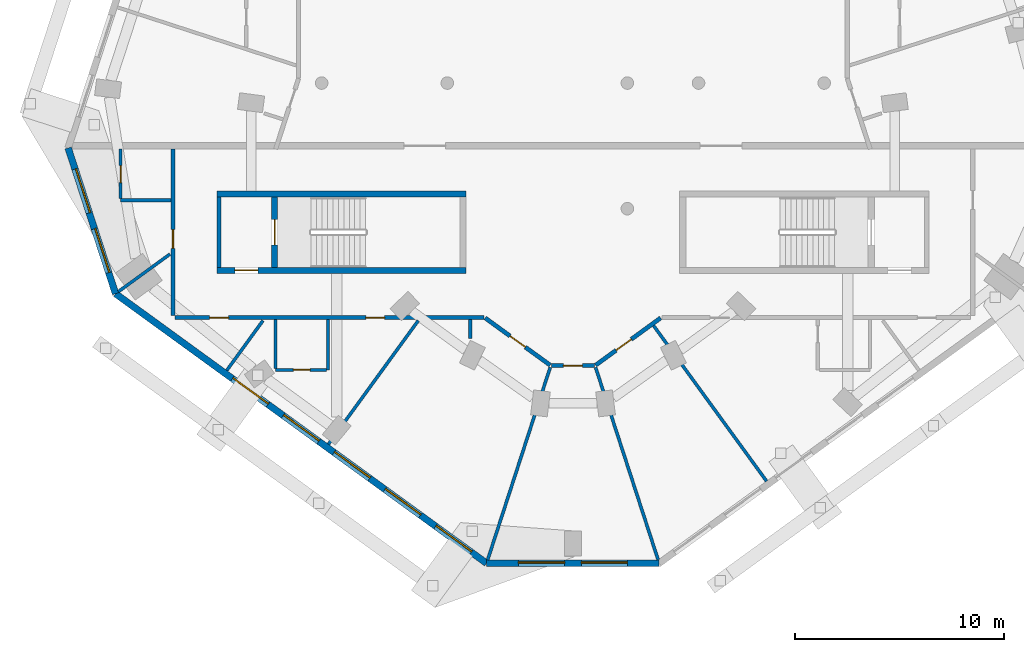
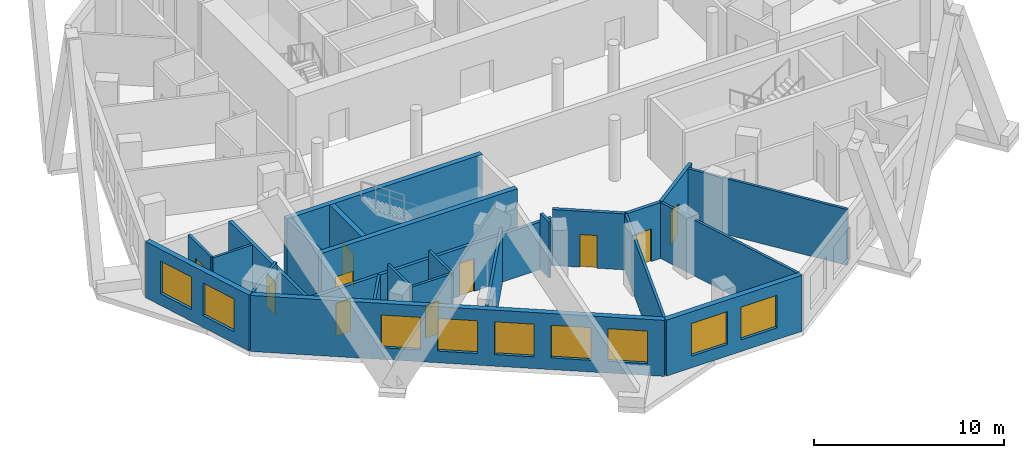
# One storey, part 3 of 10: 24 walls, 10 doors, 9 windows, 19 openings.
"""IFC4 building model written with IfcOpenShell, lengths in metres."""

import ifcopenshell
import ifcopenshell.guid

model = None  # the IFC model being written
_history = None  # IfcOwnerHistory: only IFC2X3 demands one
_inside = {}  # id of a spatial element -> (the spatial element, [elements in it])
_under = {}  # id of a project, library or spatial element -> (it, [spatial elements below it])
_declared = {}  # id of a project -> (the project, [libraries it declares])
_typed = {}  # id of a type object -> (the type object, [elements of that type])
_made_of = {}  # id of a material, layer set ... -> (it, [elements and type objects made of it])


def new_model(schema):
    """Start an empty IFC model of exactly this schema.

    Asked for "IFC4X3", IfcOpenShell would pick the latest addendum, in which some entities
    have other attributes; the version numbers below select the first issue.
    IFC2X3 requires an IfcOwnerHistory on every rooted entity: one is made here for all.
    """
    global model, _history
    if schema == "IFC4X3":
        model = ifcopenshell.file(schema_version=(4, 3, 0, 0))
    else:
        model = ifcopenshell.file(schema=schema)
    _inside.clear()
    _under.clear()
    _declared.clear()
    _typed.clear()
    _made_of.clear()
    _history = None
    if model.schema == "IFC2X3":
        org = make("IfcOrganization", Name="unknown")
        user = make(
            "IfcPersonAndOrganization",
            ThePerson=make("IfcPerson", FamilyName="unknown"),
            TheOrganization=org,
        )
        app = make(
            "IfcApplication",
            ApplicationDeveloper=org,
            Version="unknown",
            ApplicationFullName="unknown",
            ApplicationIdentifier="unknown",
        )
        _history = make(
            "IfcOwnerHistory",
            OwningUser=user,
            OwningApplication=app,
            ChangeAction="ADDED",
            CreationDate=0,
        )
    return model


def make(cls, **values):
    """One entity of the class cls with the attributes given. An attribute that is None is left unset."""
    return model.create_entity(
        cls, **{name: value for name, value in values.items() if value is not None}
    )


def rooted(cls, **values):
    """An entity with a GlobalId (a new one), such as an element, a storey or a relation."""
    return make(cls, GlobalId=ifcopenshell.guid.new(), OwnerHistory=_history, **values)


def si_unit(unit_type, name, prefix=None):
    """IfcSIUnit, for example si_unit("LENGTHUNIT", "METRE", prefix="MILLI")."""
    return make("IfcSIUnit", UnitType=unit_type, Prefix=prefix, Name=name)


def assignment(units):
    """IfcUnitAssignment: the units of a project."""
    return None if units is None else make("IfcUnitAssignment", Units=units)


def point(xyz):
    """IfcCartesianPoint."""
    return None if xyz is None else make("IfcCartesianPoint", Coordinates=xyz)


def direction(xyz):
    """IfcDirection."""
    return None if xyz is None else make("IfcDirection", DirectionRatios=xyz)


def frame(location, z_axis=None, x_axis=None):
    """IfcAxis2Placement3D, a coordinate frame: its origin and axes. An axis left out is left unset."""
    return make(
        "IfcAxis2Placement3D",
        Location=point(location),
        Axis=direction(z_axis),
        RefDirection=direction(x_axis),
    )


def frame_2d(location, x_axis=None):
    """IfcAxis2Placement2D, a coordinate frame in the plane: its origin and x axis."""
    return make(
        "IfcAxis2Placement2D", Location=point(location), RefDirection=direction(x_axis)
    )


def origin():
    """The frame at (0, 0, 0) with its axes left unset."""
    return frame((0.0, 0.0, 0.0))


def place(relative_to, where):
    """IfcLocalPlacement: puts the frame where relative to a parent placement (None: the world)."""
    return make(
        "IfcLocalPlacement", PlacementRelTo=relative_to, RelativePlacement=where
    )


def context(
    kind, dimensions, precision=None, world=None, true_north=None, identifier=None
):
    """IfcGeometricRepresentationContext, for example the 3D "Model" context."""
    return make(
        "IfcGeometricRepresentationContext",
        ContextIdentifier=identifier,
        ContextType=kind,
        CoordinateSpaceDimension=dimensions,
        Precision=precision,
        WorldCoordinateSystem=world,
        TrueNorth=true_north,
    )


def subcontext(parent, identifier, kind, view, scale=None):
    """IfcGeometricRepresentationSubContext, for example "Body" below "Model"."""
    return make(
        "IfcGeometricRepresentationSubContext",
        ContextIdentifier=identifier,
        ContextType=kind,
        ParentContext=parent,
        TargetScale=scale,
        TargetView=view,
    )


def project(units=None, contexts=None):
    """IfcProject with its units and contexts."""
    return rooted(
        "IfcProject",
        Name="project",
        RepresentationContexts=contexts,
        UnitsInContext=assignment(units),
    )


def spatial(cls, under=None, at=None, **own):
    """A site, building, storey or space (cls), placed at a placement, below another one or the project."""
    s = rooted(cls, ObjectPlacement=at, **own)
    if under is not None:
        _under.setdefault(under.id(), (under, []))[1].append(s)
    return s


def profile(cls, at=None, kind="AREA", **sizes):
    """A parametric profile (cls). Its sizes go by their IFC names, for example OverallWidth=200.0."""
    return make(cls, ProfileType=kind, Position=at, **sizes)


def rectangle(**sizes):
    """IfcRectangleProfileDef."""
    return profile("IfcRectangleProfileDef", **sizes)


def extrude(swept, where, along, depth):
    """IfcExtrudedAreaSolid: the profile swept, set in the frame where, extruded along a direction by depth."""
    return make(
        "IfcExtrudedAreaSolid",
        SweptArea=swept,
        Position=where,
        ExtrudedDirection=direction(along),
        Depth=depth,
    )


def shape(context_of_items, identifier, shape_type, items):
    """IfcShapeRepresentation: the items that make up one representation, for example the "Body"."""
    return make(
        "IfcShapeRepresentation",
        ContextOfItems=context_of_items,
        RepresentationIdentifier=identifier,
        RepresentationType=shape_type,
        Items=items,
    )


def material(Name=None, Category=None):
    """IfcMaterial."""
    return make("IfcMaterial", Name=Name, Category=Category)


def layer(
    of_material, thickness, ventilated=None, Name=None, Category=None, Priority=None
):
    """IfcMaterialLayer: one layer of a wall or slab, of a material (None: an air gap)."""
    return make(
        "IfcMaterialLayer",
        Material=of_material,
        LayerThickness=thickness,
        IsVentilated=ventilated,
        Name=Name,
        Category=Category,
        Priority=Priority,
    )


def layer_set(layers, Name=None):
    """IfcMaterialLayerSet."""
    return make("IfcMaterialLayerSet", MaterialLayers=layers, LayerSetName=Name)


def made_of(thing, what):
    """Note that an element or type object is made of a material, layer set ...; save() writes the relation."""
    if what is not None:
        _made_of.setdefault(what.id(), (what, []))[1].append(thing)
    return thing


def type_object(cls, material=None, **own):
    """A type object (cls), such as IfcWallType, which elements share."""
    return made_of(rooted(cls, **own), material)


def element(
    cls,
    number,
    at=None,
    inside=None,
    cuts=None,
    type_object=None,
    material=None,
    context=None,
    identifier="Body",
    shape_type=None,
    held_by="IfcProductDefinitionShape",
    body=None,
    shapes=None,
    **own,
):
    """One element of the class cls, such as IfcWall. Its Tag is "e" and its number.

    at: its placement. inside: the storey or other place that contains it. cuts: it is an
    opening in that element (IfcRelVoidsElement). A single representation is given by context,
    identifier, shape_type and body (its items); several are given by shapes. held_by: the class
    of the entity that holds the representations. save() writes the other relations.
    """
    e = rooted(cls, Tag="e%d" % number, ObjectPlacement=at, **own)
    if body is not None:
        shapes = [shape(context, identifier, shape_type, body)]
    if shapes is not None:
        e.Representation = make(held_by, Representations=shapes)
    if inside is not None:
        _inside.setdefault(inside.id(), (inside, []))[1].append(e)
    if cuts is not None:
        rooted(
            "IfcRelVoidsElement", RelatingBuildingElement=cuts, RelatedOpeningElement=e
        )
    if type_object is not None:
        _typed.setdefault(type_object.id(), (type_object, []))[1].append(e)
    return made_of(e, material)


def fill(opening, filler):
    """IfcRelFillsElement: the door or window that sits in an opening."""
    return rooted(
        "IfcRelFillsElement",
        RelatingOpeningElement=opening,
        RelatedBuildingElement=filler,
    )


def aggregate(whole, parts):
    """IfcRelAggregates: a whole, such as a stair, and the parts it consists of."""
    return rooted("IfcRelAggregates", RelatingObject=whole, RelatedObjects=parts)


def save(model, path):
    """Write the relations noted so far, then the file.

    IfcRelAggregates (storeys below a building ...), IfcRelContainedInSpatialStructure (elements
    in a storey), IfcRelDefinesByType, IfcRelAssociatesMaterial and IfcRelDeclares: one each for
    every whole, place, type object, material and project.
    """
    for whole, parts in _under.values():
        aggregate(whole, parts)
    for where, things in _inside.values():
        rooted(
            "IfcRelContainedInSpatialStructure",
            RelatedElements=things,
            RelatingStructure=where,
        )
    for kind, things in _typed.values():
        rooted("IfcRelDefinesByType", RelatedObjects=things, RelatingType=kind)
    for what, things in _made_of.values():
        rooted("IfcRelAssociatesMaterial", RelatedObjects=things, RelatingMaterial=what)
    for by, libraries in _declared.values():
        rooted("IfcRelDeclares", RelatingContext=by, RelatedDefinitions=libraries)
    model.write(path)


model = new_model("IFC4")

# Units and contexts
model_context = context("Model", 3, precision=1e-05, world=origin(), true_north=direction((0.0, 1.0)))
body_context = subcontext(model_context, "Body", "Model", "MODEL_VIEW")
ifc_project = project(units=[si_unit("LENGTHUNIT", "METRE"), si_unit("AREAUNIT", "SQUARE_METRE"), si_unit("VOLUMEUNIT", "CUBIC_METRE"), si_unit("PLANEANGLEUNIT", "RADIAN"), si_unit("MASSUNIT", "GRAM", prefix="KILO")], contexts=[model_context])

# Site, building, storey
site_placement = place(None, origin())
site = spatial("IfcSite", under=ifc_project, at=site_placement, CompositionType="ELEMENT")
building_placement = place(site_placement, origin())
building = spatial("IfcBuilding", under=site, at=building_placement, Name="White Candle Pilgrim Tower", CompositionType="ELEMENT")
storey_placement = place(building_placement, frame((0.0, 0.0, 231.60009765625)))
storey = spatial("IfcBuildingStorey", under=building, at=storey_placement, Name="L54", CompositionType="ELEMENT", Elevation=231.60009765625)

# Wall
ifc_material_1 = material(Name="Concrete C50/60", Category="concrete")
ifc_layer_1 = layer(ifc_material_1, 0.199951171875)
ifc_layer_set_1 = layer_set([ifc_layer_1], Name="Core wall 200 mm Concrete C50/60")
wall_type_1 = type_object("IfcWallType", Name="Core wall 200 mm Concrete C50/60", PredefinedType="SHEAR", material=ifc_layer_set_1)
wall_1_placement = place(storey_placement, frame((53.10009765625, 58.199951171875, 0.0), z_axis=(0.0, 0.0, 1.0), x_axis=(0.0, 1.0, 0.0)))
element("IfcWall", 1, at=wall_1_placement, inside=storey, type_object=wall_type_1, Name="WL-L54-C03", PredefinedType="SHEAR", context=body_context, shape_type="SweptSolid", body=[
    extrude(rectangle(XDim=3.35009765625, YDim=0.199951171875, at=frame_2d((1.675048828125, 0.0))), origin(), (0.0, 0.0, 1.0), 3.89990234375),
])

# Wall, opening, door
ifc_material_2 = material(Name="Gypsum board on steel studs", Category="steel")
ifc_layer_2 = layer(ifc_material_2, 0.199951171875)
ifc_layer_set_2 = layer_set([ifc_layer_2], Name="Corridor wall 200 mm EI 45")
wall_type_2 = type_object("IfcWallType", Name="Corridor wall 200 mm EI 45", PredefinedType="PARTITIONING", material=ifc_layer_set_2)
wall_2_placement = place(storey_placement, frame((74.18994140625, 55.781005859375, 0.0), z_axis=(0.0, 0.0, 1.0), x_axis=(-0.809008130168, -0.587797452633, 0.0)))
wall_2 = element("IfcWall", 2, at=wall_2_placement, inside=storey, type_object=wall_type_2, Name="WL-L54-P008", PredefinedType="PARTITIONING", context=body_context, shape_type="SweptSolid", body=[
    extrude(rectangle(XDim=3.8408203125, YDim=0.199951171875, at=frame_2d((1.92041015625, 0.0))), origin(), (0.0, 0.0, 1.0), 3.599853515625),
])
opening_1_placement = place(wall_2_placement, frame((1.730712890625, 0.0, 0.0)))
opening_1 = element("IfcOpeningElement", 3, at=opening_1_placement, cuts=wall_2, Name="Opening T17-110", PredefinedType="OPENING", context=body_context, shape_type="SweptSolid", body=[
    extrude(rectangle(XDim=0.89990234375, YDim=2.10009765625, at=frame_2d((0.449951171875, 1.050048828125))), frame((0.0, 0.10986328125, 0.0), z_axis=(0.0, -1.0, 0.0), x_axis=(1.0, 0.0, 0.0)), (0.0, 0.0, 1.0), 0.219970703125),
])
ifc_material_3 = material(Name="Steel door leaf", Category="steel")
door_type_1 = type_object("IfcDoorType", Name="Fire door 900 x 2100 EI 30", OperationType="NOTDEFINED", PredefinedType="DOOR", material=ifc_material_3)
door_1_placement = place(opening_1_placement, origin())
door_1 = element("IfcDoor", 4, at=door_1_placement, inside=storey, type_object=door_type_1, Name="Door T17-110", OperationType="SINGLE_SWING_RIGHT", OverallHeight=2.10009765625, OverallWidth=0.89990234375, PredefinedType="DOOR", context=body_context, shape_type="SweptSolid", body=[
    extrude(rectangle(XDim=0.89990234375, YDim=2.10009765625, at=frame_2d((0.449951171875, 1.050048828125))), frame((0.0, 0.02490234375, 0.0), z_axis=(0.0, -1.0, 0.0), x_axis=(1.0, 0.0, 0.0)), (0.0, 0.0, 1.0), 0.050048828125),
])
fill(opening_1, door_1)

wall_3_placement = place(storey_placement, frame((71.02392578125, 53.50439453125, 0.0), z_axis=(0.0, 0.0, 1.0), x_axis=(-1.0, 0.0, 0.0)))
wall_3 = element("IfcWall", 5, at=wall_3_placement, inside=storey, type_object=wall_type_2, Name="WL-L54-P009", PredefinedType="PARTITIONING", context=body_context, shape_type="SweptSolid", body=[
    extrude(rectangle(XDim=2.0478515625, YDim=0.199951171875, at=frame_2d((1.02392578125, 0.0))), origin(), (0.0, 0.0, 1.0), 3.599853515625),
])
opening_2_placement = place(wall_3_placement, frame((0.573974609375, 0.0, 0.0)))
opening_2 = element("IfcOpeningElement", 6, at=opening_2_placement, cuts=wall_3, Name="Opening T17-109", PredefinedType="OPENING", context=body_context, shape_type="SweptSolid", body=[
    extrude(rectangle(XDim=0.89990234375, YDim=2.10009765625, at=frame_2d((0.449951171875, 1.050048828125))), frame((0.0, 0.10986328125, 0.0), z_axis=(0.0, -1.0, 0.0), x_axis=(1.0, 0.0, 0.0)), (0.0, 0.0, 1.0), 0.219970703125),
])
door_2_placement = place(opening_2_placement, origin())
door_2 = element("IfcDoor", 7, at=door_2_placement, inside=storey, type_object=door_type_1, Name="Door T17-109", OperationType="SINGLE_SWING_LEFT", OverallHeight=2.10009765625, OverallWidth=0.89990234375, PredefinedType="DOOR", context=body_context, shape_type="SweptSolid", body=[
    extrude(rectangle(XDim=0.89990234375, YDim=2.10009765625, at=frame_2d((0.449951171875, 1.050048828125))), frame((0.0, 0.02490234375, 0.0), z_axis=(0.0, -1.0, 0.0), x_axis=(1.0, 0.0, 0.0)), (0.0, 0.0, 1.0), 0.050048828125),
])
fill(opening_2, door_2)

wall_4_placement = place(storey_placement, frame((68.917236328125, 53.5234375, 0.0), z_axis=(0.0, 0.0, 1.0), x_axis=(-0.809008130168, 0.587797452633, 0.0)))
wall_4 = element("IfcWall", 8, at=wall_4_placement, inside=storey, type_object=wall_type_2, Name="WL-L54-P010", PredefinedType="PARTITIONING", context=body_context, shape_type="SweptSolid", body=[
    extrude(rectangle(XDim=3.8408203125, YDim=0.199951171875, at=frame_2d((1.92041015625, 0.0))), origin(), (0.0, 0.0, 1.0), 3.599853515625),
])
opening_3_placement = place(wall_4_placement, frame((1.47021484375, 0.0, 0.0)))
opening_3 = element("IfcOpeningElement", 9, at=opening_3_placement, cuts=wall_4, Name="Opening T17-108", PredefinedType="OPENING", context=body_context, shape_type="SweptSolid", body=[
    extrude(rectangle(XDim=0.89990234375, YDim=2.10009765625, at=frame_2d((0.449951171875, 1.050048828125))), frame((0.0, 0.10986328125, 0.0), z_axis=(0.0, -1.0, 0.0), x_axis=(1.0, 0.0, 0.0)), (0.0, 0.0, 1.0), 0.219970703125),
])
door_3_placement = place(opening_3_placement, origin())
door_3 = element("IfcDoor", 10, at=door_3_placement, inside=storey, type_object=door_type_1, Name="Door T17-108", OperationType="SINGLE_SWING_RIGHT", OverallHeight=2.10009765625, OverallWidth=0.89990234375, PredefinedType="DOOR", context=body_context, shape_type="SweptSolid", body=[
    extrude(rectangle(XDim=0.89990234375, YDim=2.10009765625, at=frame_2d((0.449951171875, 1.050048828125))), frame((0.0, 0.02490234375, 0.0), z_axis=(0.0, -1.0, 0.0), x_axis=(1.0, 0.0, 0.0)), (0.0, 0.0, 1.0), 0.050048828125),
])
fill(opening_3, door_3)

# Wall, openings, doors
wall_5_placement = place(storey_placement, frame((65.751220703125, 55.800048828125, 0.0), z_axis=(0.0, 0.0, 1.0), x_axis=(-1.0, 0.0, 0.0)))
wall_5 = element("IfcWall", 11, at=wall_5_placement, inside=storey, type_object=wall_type_2, Name="WL-L54-P011", PredefinedType="PARTITIONING", context=body_context, shape_type="SweptSolid", body=[
    extrude(rectangle(XDim=14.751220703125, YDim=0.199951171875, at=frame_2d((7.37548828125, 0.0))), origin(), (0.0, 0.0, 1.0), 3.0498046875),
])
opening_4_placement = place(wall_5_placement, frame((12.19970703125, 0.0, 0.0)))
opening_4 = element("IfcOpeningElement", 12, at=opening_4_placement, cuts=wall_5, Name="Opening T17-105", PredefinedType="OPENING", context=body_context, shape_type="SweptSolid", body=[
    extrude(rectangle(XDim=0.89990234375, YDim=2.10009765625, at=frame_2d((0.449951171875, 1.050048828125))), frame((0.0, 0.10986328125, 0.0), z_axis=(0.0, -1.0, 0.0), x_axis=(1.0, 0.0, 0.0)), (0.0, 0.0, 1.0), 0.219970703125),
])
opening_5_placement = place(wall_5_placement, frame((4.739990234375, 0.0, 0.0)))
opening_5 = element("IfcOpeningElement", 13, at=opening_5_placement, cuts=wall_5, Name="Opening T17-107", PredefinedType="OPENING", context=body_context, shape_type="SweptSolid", body=[
    extrude(rectangle(XDim=0.89990234375, YDim=2.10009765625, at=frame_2d((0.449951171875, 1.050048828125))), frame((0.0, 0.10986328125, 0.0), z_axis=(0.0, -1.0, 0.0), x_axis=(1.0, 0.0, 0.0)), (0.0, 0.0, 1.0), 0.219970703125),
])
door_4_placement = place(opening_4_placement, origin())
door_4 = element("IfcDoor", 14, at=door_4_placement, inside=storey, type_object=door_type_1, Name="Door T17-105", OperationType="SINGLE_SWING_LEFT", OverallHeight=2.10009765625, OverallWidth=0.89990234375, PredefinedType="DOOR", context=body_context, shape_type="SweptSolid", body=[
    extrude(rectangle(XDim=0.89990234375, YDim=2.10009765625, at=frame_2d((0.449951171875, 1.050048828125))), frame((0.0, 0.02490234375, 0.0), z_axis=(0.0, -1.0, 0.0), x_axis=(1.0, 0.0, 0.0)), (0.0, 0.0, 1.0), 0.050048828125),
])
fill(opening_4, door_4)
door_5_placement = place(opening_5_placement, origin())
door_5 = element("IfcDoor", 15, at=door_5_placement, inside=storey, type_object=door_type_1, Name="Door T17-107", OperationType="SINGLE_SWING_LEFT", OverallHeight=2.10009765625, OverallWidth=0.89990234375, PredefinedType="DOOR", context=body_context, shape_type="SweptSolid", body=[
    extrude(rectangle(XDim=0.89990234375, YDim=2.10009765625, at=frame_2d((0.449951171875, 1.050048828125))), frame((0.0, 0.02490234375, 0.0), z_axis=(0.0, -1.0, 0.0), x_axis=(1.0, 0.0, 0.0)), (0.0, 0.0, 1.0), 0.050048828125),
])
fill(opening_5, door_5)

# Wall, opening, door
wall_6_placement = place(storey_placement, frame((50.89990234375, 55.89990234375, 0.0), z_axis=(0.0, 0.0, 1.0), x_axis=(0.0, 1.0, 0.0)))
wall_6 = element("IfcWall", 16, at=wall_6_placement, inside=storey, type_object=wall_type_2, Name="WL-L54-P012", PredefinedType="PARTITIONING", context=body_context, shape_type="SweptSolid", body=[
    extrude(rectangle(XDim=7.9501953125, YDim=0.199951171875, at=frame_2d((3.97509765625, 0.0))), origin(), (0.0, 0.0, 1.0), 3.14990234375),
])
opening_6_placement = place(wall_6_placement, frame((3.203369140625, 0.0, 0.0)))
opening_6 = element("IfcOpeningElement", 17, at=opening_6_placement, cuts=wall_6, Name="Opening T17-104", PredefinedType="OPENING", context=body_context, shape_type="SweptSolid", body=[
    extrude(rectangle(XDim=0.89990234375, YDim=2.10009765625, at=frame_2d((0.449951171875, 1.050048828125))), frame((0.0, 0.10986328125, 0.0), z_axis=(0.0, -1.0, 0.0), x_axis=(1.0, 0.0, 0.0)), (0.0, 0.0, 1.0), 0.219970703125),
])
door_6_placement = place(opening_6_placement, origin())
door_6 = element("IfcDoor", 18, at=door_6_placement, inside=storey, type_object=door_type_1, Name="Door T17-104", OperationType="SINGLE_SWING_RIGHT", OverallHeight=2.10009765625, OverallWidth=0.89990234375, PredefinedType="DOOR", context=body_context, shape_type="SweptSolid", body=[
    extrude(rectangle(XDim=0.89990234375, YDim=2.10009765625, at=frame_2d((0.449951171875, 1.050048828125))), frame((0.0, 0.02490234375, 0.0), z_axis=(0.0, -1.0, 0.0), x_axis=(1.0, 0.0, 0.0)), (0.0, 0.0, 1.0), 0.050048828125),
])
fill(opening_6, door_6)

# Wall, openings, windows
ifc_material_4 = material(Name="Precast concrete C40/50", Category="concrete")
ifc_layer_3 = layer(ifc_material_4, 0.320068359375)
ifc_layer_set_3 = layer_set([ifc_layer_3], Name="Facade wall EW1 precast concrete C40/50 pier wall with timber-lined reveals")
wall_type_3 = type_object("IfcWallType", Name="Facade wall EW1 precast concrete C40/50 pier wall with timber-lined reveals", PredefinedType="SOLIDWALL", material=ifc_layer_set_3)
wall_7_placement = place(storey_placement, frame((45.8935546875, 63.900390625, 0.0), z_axis=(0.0, 0.0, 1.0), x_axis=(0.309034031294, -0.951050980496, 0.0)))
wall_7 = element("IfcWall", 19, at=wall_7_placement, inside=storey, type_object=wall_type_3, Name="Facade wall L54 W chamfer", PredefinedType="SOLIDWALL", context=body_context, shape_type="SweptSolid", body=[
    extrude(rectangle(XDim=7.319580078125, YDim=0.320068359375, at=frame_2d((3.65966796875, 0.0))), origin(), (0.0, 0.0, 1.0), 3.599853515625),
])
opening_7_placement = place(wall_7_placement, frame((1.059814453125, 0.0, 0.75)))
opening_7 = element("IfcOpeningElement", 20, at=opening_7_placement, cuts=wall_7, Name="Opening W4", PredefinedType="OPENING", context=body_context, shape_type="SweptSolid", body=[
    extrude(rectangle(XDim=2.199951171875, YDim=2.10009765625, at=frame_2d((1.10009765625, 1.050048828125))), frame((0.0, 0.169921875, 0.0), z_axis=(0.0, -1.0, 0.0), x_axis=(1.0, 0.0, 0.0)), (0.0, 0.0, 1.0), 0.340087890625),
])
opening_8_placement = place(wall_7_placement, frame((4.059814453125, 0.0, 0.75)))
opening_8 = element("IfcOpeningElement", 21, at=opening_8_placement, cuts=wall_7, Name="Opening W4", PredefinedType="OPENING", context=body_context, shape_type="SweptSolid", body=[
    extrude(rectangle(XDim=2.199951171875, YDim=2.10009765625, at=frame_2d((1.10009765625, 1.050048828125))), frame((0.0, 0.169921875, 0.0), z_axis=(0.0, -1.0, 0.0), x_axis=(1.0, 0.0, 0.0)), (0.0, 0.0, 1.0), 0.340087890625),
])
ifc_material_5 = material(Name="Timber frame with triple glazing", Category="wood")
window_type_1 = type_object("IfcWindowType", Name="Window W4 2200x2100 timber frame triple glazing", PartitioningType="SINGLE_PANEL", PredefinedType="WINDOW", material=ifc_material_5)
window_1_placement = place(opening_7_placement, origin())
window_1 = element("IfcWindow", 22, at=window_1_placement, inside=storey, type_object=window_type_1, Name="Window W4 L54 W chamfer 1", OverallHeight=2.10009765625, OverallWidth=2.199951171875, PartitioningType="SINGLE_PANEL", PredefinedType="WINDOW", context=body_context, shape_type="SweptSolid", body=[
    extrude(rectangle(XDim=2.199951171875, YDim=2.10009765625, at=frame_2d((1.10009765625, 1.050048828125))), frame((0.0, 0.070068359375, 0.0), z_axis=(0.0, -1.0, 0.0), x_axis=(1.0, 0.0, 0.0)), (0.0, 0.0, 1.0), 0.06005859375),
])
fill(opening_7, window_1)
window_2_placement = place(opening_8_placement, origin())
window_2 = element("IfcWindow", 23, at=window_2_placement, inside=storey, type_object=window_type_1, Name="Window W4 L54 W chamfer 2", OverallHeight=2.10009765625, OverallWidth=2.199951171875, PartitioningType="SINGLE_PANEL", PredefinedType="WINDOW", context=body_context, shape_type="SweptSolid", body=[
    extrude(rectangle(XDim=2.199951171875, YDim=2.10009765625, at=frame_2d((1.10009765625, 1.050048828125))), frame((0.0, 0.070068359375, 0.0), z_axis=(0.0, -1.0, 0.0), x_axis=(1.0, 0.0, 0.0)), (0.0, 0.0, 1.0), 0.06005859375),
])
fill(opening_8, window_2)

wall_8_placement = place(storey_placement, frame((48.155517578125, 56.939208984375, 0.0), z_axis=(0.0, 0.0, 1.0), x_axis=(0.809013617361, -0.587789900325, 0.0)))
wall_8 = element("IfcWall", 24, at=wall_8_placement, inside=storey, type_object=wall_type_3, Name="Facade wall L54 SW", PredefinedType="SOLIDWALL", context=body_context, shape_type="SweptSolid", body=[
    extrude(rectangle(XDim=21.904052734375, YDim=0.320068359375, at=frame_2d((10.9521484375, 0.0))), origin(), (0.0, 0.0, 1.0), 3.599853515625),
])
opening_9_placement = place(wall_8_placement, frame((6.902099609375, 0.0, 0.75)))
opening_9 = element("IfcOpeningElement", 25, at=opening_9_placement, cuts=wall_8, Name="Opening W3", PredefinedType="OPENING", context=body_context, shape_type="SweptSolid", body=[
    extrude(rectangle(XDim=2.10009765625, YDim=2.10009765625, at=frame_2d((1.050048828125, 1.050048828125))), frame((0.0, 0.169921875, 0.0), z_axis=(0.0, -1.0, 0.0), x_axis=(1.0, 0.0, 0.0)), (0.0, 0.0, 1.0), 0.340087890625),
])
opening_10_placement = place(wall_8_placement, frame((9.902099609375, 0.0, 0.75)))
opening_10 = element("IfcOpeningElement", 26, at=opening_10_placement, cuts=wall_8, Name="Opening W3", PredefinedType="OPENING", context=body_context, shape_type="SweptSolid", body=[
    extrude(rectangle(XDim=2.10009765625, YDim=2.10009765625, at=frame_2d((1.050048828125, 1.050048828125))), frame((0.0, 0.169921875, 0.0), z_axis=(0.0, -1.0, 0.0), x_axis=(1.0, 0.0, 0.0)), (0.0, 0.0, 1.0), 0.340087890625),
])
opening_11_placement = place(wall_8_placement, frame((12.902099609375, 0.0, 0.75)))
opening_11 = element("IfcOpeningElement", 27, at=opening_11_placement, cuts=wall_8, Name="Opening W3", PredefinedType="OPENING", context=body_context, shape_type="SweptSolid", body=[
    extrude(rectangle(XDim=2.10009765625, YDim=2.10009765625, at=frame_2d((1.050048828125, 1.050048828125))), frame((0.0, 0.169921875, 0.0), z_axis=(0.0, -1.0, 0.0), x_axis=(1.0, 0.0, 0.0)), (0.0, 0.0, 1.0), 0.340087890625),
])
opening_12_placement = place(wall_8_placement, frame((15.902099609375, 0.0, 0.75)))
opening_12 = element("IfcOpeningElement", 28, at=opening_12_placement, cuts=wall_8, Name="Opening W3", PredefinedType="OPENING", context=body_context, shape_type="SweptSolid", body=[
    extrude(rectangle(XDim=2.10009765625, YDim=2.10009765625, at=frame_2d((1.050048828125, 1.050048828125))), frame((0.0, 0.169921875, 0.0), z_axis=(0.0, -1.0, 0.0), x_axis=(1.0, 0.0, 0.0)), (0.0, 0.0, 1.0), 0.340087890625),
])
opening_13_placement = place(wall_8_placement, frame((18.902099609375, 0.0, 0.75)))
opening_13 = element("IfcOpeningElement", 29, at=opening_13_placement, cuts=wall_8, Name="Opening W3", PredefinedType="OPENING", context=body_context, shape_type="SweptSolid", body=[
    extrude(rectangle(XDim=2.10009765625, YDim=2.10009765625, at=frame_2d((1.050048828125, 1.050048828125))), frame((0.0, 0.169921875, 0.0), z_axis=(0.0, -1.0, 0.0), x_axis=(1.0, 0.0, 0.0)), (0.0, 0.0, 1.0), 0.340087890625),
])
window_type_2 = type_object("IfcWindowType", Name="Window W3 2100x2100 timber frame triple glazing", PartitioningType="SINGLE_PANEL", PredefinedType="WINDOW", material=ifc_material_5)
window_3_placement = place(opening_9_placement, origin())
window_3 = element("IfcWindow", 30, at=window_3_placement, inside=storey, type_object=window_type_2, Name="Window W3 L54 SW 3", OverallHeight=2.10009765625, OverallWidth=2.10009765625, PartitioningType="SINGLE_PANEL", PredefinedType="WINDOW", context=body_context, shape_type="SweptSolid", body=[
    extrude(rectangle(XDim=2.10009765625, YDim=2.10009765625, at=frame_2d((1.050048828125, 1.050048828125))), frame((0.0, 0.070068359375, 0.0), z_axis=(0.0, -1.0, 0.0), x_axis=(1.0, 0.0, 0.0)), (0.0, 0.0, 1.0), 0.06005859375),
])
fill(opening_9, window_3)
window_4_placement = place(opening_10_placement, origin())
window_4 = element("IfcWindow", 31, at=window_4_placement, inside=storey, type_object=window_type_2, Name="Window W3 L54 SW 4", OverallHeight=2.10009765625, OverallWidth=2.10009765625, PartitioningType="SINGLE_PANEL", PredefinedType="WINDOW", context=body_context, shape_type="SweptSolid", body=[
    extrude(rectangle(XDim=2.10009765625, YDim=2.10009765625, at=frame_2d((1.050048828125, 1.050048828125))), frame((0.0, 0.070068359375, 0.0), z_axis=(0.0, -1.0, 0.0), x_axis=(1.0, 0.0, 0.0)), (0.0, 0.0, 1.0), 0.06005859375),
])
fill(opening_10, window_4)
window_5_placement = place(opening_11_placement, origin())
window_5 = element("IfcWindow", 32, at=window_5_placement, inside=storey, type_object=window_type_2, Name="Window W3 L54 SW 5", OverallHeight=2.10009765625, OverallWidth=2.10009765625, PartitioningType="SINGLE_PANEL", PredefinedType="WINDOW", context=body_context, shape_type="SweptSolid", body=[
    extrude(rectangle(XDim=2.10009765625, YDim=2.10009765625, at=frame_2d((1.050048828125, 1.050048828125))), frame((0.0, 0.070068359375, 0.0), z_axis=(0.0, -1.0, 0.0), x_axis=(1.0, 0.0, 0.0)), (0.0, 0.0, 1.0), 0.06005859375),
])
fill(opening_11, window_5)
window_6_placement = place(opening_12_placement, origin())
window_6 = element("IfcWindow", 33, at=window_6_placement, inside=storey, type_object=window_type_2, Name="Window W3 L54 SW 6", OverallHeight=2.10009765625, OverallWidth=2.10009765625, PartitioningType="SINGLE_PANEL", PredefinedType="WINDOW", context=body_context, shape_type="SweptSolid", body=[
    extrude(rectangle(XDim=2.10009765625, YDim=2.10009765625, at=frame_2d((1.050048828125, 1.050048828125))), frame((0.0, 0.070068359375, 0.0), z_axis=(0.0, -1.0, 0.0), x_axis=(1.0, 0.0, 0.0)), (0.0, 0.0, 1.0), 0.06005859375),
])
fill(opening_12, window_6)
window_7_placement = place(opening_13_placement, origin())
window_7 = element("IfcWindow", 34, at=window_7_placement, inside=storey, type_object=window_type_2, Name="Window W3 L54 SW 7", OverallHeight=2.10009765625, OverallWidth=2.10009765625, PartitioningType="SINGLE_PANEL", PredefinedType="WINDOW", context=body_context, shape_type="SweptSolid", body=[
    extrude(rectangle(XDim=2.10009765625, YDim=2.10009765625, at=frame_2d((1.050048828125, 1.050048828125))), frame((0.0, 0.070068359375, 0.0), z_axis=(0.0, -1.0, 0.0), x_axis=(1.0, 0.0, 0.0)), (0.0, 0.0, 1.0), 0.06005859375),
])
fill(opening_13, window_7)

wall_9_placement = place(storey_placement, frame((65.876220703125, 44.064208984375, 0.0), z_axis=(0.0, 0.0, 1.0), x_axis=(1.0, 0.0, 0.0)))
wall_9 = element("IfcWall", 35, at=wall_9_placement, inside=storey, type_object=wall_type_3, Name="Facade wall L54 S chamfer", PredefinedType="SOLIDWALL", context=body_context, shape_type="SweptSolid", body=[
    extrude(rectangle(XDim=8.24755859375, YDim=0.320068359375, at=frame_2d((4.123779296875, 0.0))), origin(), (0.0, 0.0, 1.0), 3.599853515625),
])
opening_14_placement = place(wall_9_placement, frame((1.523681640625, 0.0, 0.75)))
opening_14 = element("IfcOpeningElement", 36, at=opening_14_placement, cuts=wall_9, Name="Opening W4", PredefinedType="OPENING", context=body_context, shape_type="SweptSolid", body=[
    extrude(rectangle(XDim=2.199951171875, YDim=2.10009765625, at=frame_2d((1.10009765625, 1.050048828125))), frame((0.0, 0.169921875, 0.0), z_axis=(0.0, -1.0, 0.0), x_axis=(1.0, 0.0, 0.0)), (0.0, 0.0, 1.0), 0.340087890625),
])
opening_15_placement = place(wall_9_placement, frame((4.523681640625, 0.0, 0.75)))
opening_15 = element("IfcOpeningElement", 37, at=opening_15_placement, cuts=wall_9, Name="Opening W4", PredefinedType="OPENING", context=body_context, shape_type="SweptSolid", body=[
    extrude(rectangle(XDim=2.199951171875, YDim=2.10009765625, at=frame_2d((1.10009765625, 1.050048828125))), frame((0.0, 0.169921875, 0.0), z_axis=(0.0, -1.0, 0.0), x_axis=(1.0, 0.0, 0.0)), (0.0, 0.0, 1.0), 0.340087890625),
])
window_8_placement = place(opening_14_placement, origin())
window_8 = element("IfcWindow", 38, at=window_8_placement, inside=storey, type_object=window_type_1, Name="Window W4 L54 S chamfer 1", OverallHeight=2.10009765625, OverallWidth=2.199951171875, PartitioningType="SINGLE_PANEL", PredefinedType="WINDOW", context=body_context, shape_type="SweptSolid", body=[
    extrude(rectangle(XDim=2.199951171875, YDim=2.10009765625, at=frame_2d((1.10009765625, 1.050048828125))), frame((0.0, 0.070068359375, 0.0), z_axis=(0.0, -1.0, 0.0), x_axis=(1.0, 0.0, 0.0)), (0.0, 0.0, 1.0), 0.06005859375),
])
fill(opening_14, window_8)
window_9_placement = place(opening_15_placement, origin())
window_9 = element("IfcWindow", 39, at=window_9_placement, inside=storey, type_object=window_type_1, Name="Window W4 L54 S chamfer 2", OverallHeight=2.10009765625, OverallWidth=2.199951171875, PartitioningType="SINGLE_PANEL", PredefinedType="WINDOW", context=body_context, shape_type="SweptSolid", body=[
    extrude(rectangle(XDim=2.199951171875, YDim=2.10009765625, at=frame_2d((1.10009765625, 1.050048828125))), frame((0.0, 0.070068359375, 0.0), z_axis=(0.0, -1.0, 0.0), x_axis=(1.0, 0.0, 0.0)), (0.0, 0.0, 1.0), 0.06005859375),
])
fill(opening_15, window_9)

# Walls
ifc_layer_4 = layer(ifc_material_2, 0.14990234375)
ifc_layer_set_4 = layer_set([ifc_layer_4], Name="Partition 150 mm EI 60")
wall_type_4 = type_object("IfcWallType", Name="Partition 150 mm EI 60", PredefinedType="PARTITIONING", material=ifc_layer_set_4)
wall_10_placement = place(storey_placement, frame((48.29150390625, 57.0380859375, 0.0), z_axis=(0.0, 0.0, 1.0), x_axis=(0.809006333386, 0.587799925605, 0.0)))
element("IfcWall", 40, at=wall_10_placement, inside=storey, type_object=wall_type_4, Name="WL-L54-P014", PredefinedType="PARTITIONING", context=body_context, shape_type="SweptSolid", body=[
    extrude(rectangle(XDim=3.046142578125, YDim=0.14990234375, at=frame_2d((1.52294921875, 0.0))), origin(), (0.0, 0.0, 1.0), 3.599853515625),
])
for number, where, z_axis, x_axis, name in (
    (41, (65.92822265625, 44.224365234375, 0.0), (0.0, 0.0, 1.0), (0.309025002574, 0.951053914236, 0.0), "WL-L54-P015"),
    (42, (74.07177734375, 44.224365234375, 0.0), (0.0, 0.0, 1.0), (-0.309025002574, 0.951053914236, 0.0), "WL-L54-P016"),
):
    element("IfcWall", number, at=place(storey_placement, frame(where, z_axis=z_axis, x_axis=x_axis)), inside=storey, type_object=wall_type_4, Name=name, PredefinedType="PARTITIONING", context=body_context, shape_type="SweptSolid", body=[
        extrude(rectangle(XDim=9.67236328125, YDim=0.14990234375, at=frame_2d((4.836181640625, 0.0))), origin(), (0.0, 0.0, 1.0), 3.599853515625),
    ])
wall_11_placement = place(storey_placement, frame((50.800048828125, 61.400390625, 0.0), z_axis=(0.0, 0.0, 1.0), x_axis=(-1.0, 0.0, 0.0)))
element("IfcWall", 43, at=wall_11_placement, inside=storey, type_object=wall_type_4, Name="WL-L54-P026", PredefinedType="PARTITIONING", context=body_context, shape_type="SweptSolid", body=[
    extrude(rectangle(XDim=2.400146484375, YDim=0.14990234375, at=frame_2d((1.2001953125, 0.0))), origin(), (0.0, 0.0, 1.0), 3.14990234375),
])

# Wall, opening, door
wall_12_placement = place(storey_placement, frame((48.39990234375, 63.85009765625, 0.0), z_axis=(0.0, 0.0, 1.0), x_axis=(0.0, -1.0, 0.0)))
wall_12 = element("IfcWall", 44, at=wall_12_placement, inside=storey, type_object=wall_type_4, Name="WL-L54-P027", PredefinedType="PARTITIONING", context=body_context, shape_type="SweptSolid", body=[
    extrude(rectangle(XDim=2.374755859375, YDim=0.14990234375, at=frame_2d((1.1875, 0.0))), origin(), (0.0, 0.0, 1.0), 3.14990234375),
])
opening_16_placement = place(wall_12_placement, frame((0.799560546875, 0.0, 0.0)))
opening_16 = element("IfcOpeningElement", 45, at=opening_16_placement, cuts=wall_12, Name="Opening T17-103", PredefinedType="OPENING", context=body_context, shape_type="SweptSolid", body=[
    extrude(rectangle(XDim=0.800048828125, YDim=2.10009765625, at=frame_2d((0.39990234375, 1.050048828125))), frame((0.0, 0.0849609375, 0.0), z_axis=(0.0, -1.0, 0.0), x_axis=(1.0, 0.0, 0.0)), (0.0, 0.0, 1.0), 0.169921875),
])
door_type_2 = type_object("IfcDoorType", Name="Fire door 800 x 2100 EI 30", OperationType="NOTDEFINED", PredefinedType="DOOR", material=ifc_material_3)
door_7_placement = place(opening_16_placement, frame((0.800048828125, 0.0, 0.0), z_axis=(0.0, 0.0, 1.0), x_axis=(-1.0, 0.0, 0.0)))
door_7 = element("IfcDoor", 46, at=door_7_placement, inside=storey, type_object=door_type_2, Name="Door T17-103", OperationType="SINGLE_SWING_RIGHT", OverallHeight=2.10009765625, OverallWidth=0.800048828125, PredefinedType="DOOR", context=body_context, shape_type="SweptSolid", body=[
    extrude(rectangle(XDim=0.800048828125, YDim=2.10009765625, at=frame_2d((0.39990234375, 1.050048828125))), frame((0.0, 0.02490234375, 0.0), z_axis=(0.0, -1.0, 0.0), x_axis=(1.0, 0.0, 0.0)), (0.0, 0.0, 1.0), 0.050048828125),
])
fill(opening_16, door_7)

# Walls
wall_13_placement = place(storey_placement, frame((53.46923828125, 53.276123046875, 0.0), z_axis=(0.0, 0.0, 1.0), x_axis=(0.587766969839, 0.809030277039, 0.0)))
element("IfcWall", 47, at=wall_13_placement, inside=storey, type_object=wall_type_4, Name="WL-L54-P028", PredefinedType="PARTITIONING", context=body_context, shape_type="SweptSolid", body=[
    extrude(rectangle(XDim=2.941650390625, YDim=0.14990234375, at=frame_2d((1.470703125, 0.0))), origin(), (0.0, 0.0, 1.0), 3.14990234375),
])
wall_14_placement = place(storey_placement, frame((58.323486328125, 49.74951171875, 0.0), z_axis=(0.0, 0.0, 1.0), x_axis=(0.587779925433, 0.809020864538, 0.0)))
element("IfcWall", 48, at=wall_14_placement, inside=storey, type_object=wall_type_4, Name="WL-L54-P029", PredefinedType="PARTITIONING", context=body_context, shape_type="SweptSolid", body=[
    extrude(rectangle(XDim=7.30078125, YDim=0.14990234375, at=frame_2d((3.650390625, 0.0))), origin(), (0.0, 0.0, 1.0), 3.599853515625),
])
wall_15_placement = place(storey_placement, frame((58.302978515625, 55.699951171875, 0.0), z_axis=(0.0, 0.0, 1.0), x_axis=(0.0, -1.0, 0.0)))
element("IfcWall", 49, at=wall_15_placement, inside=storey, type_object=wall_type_4, Name="WL-L54-P030", PredefinedType="PARTITIONING", context=body_context, shape_type="SweptSolid", body=[
    extrude(rectangle(XDim=2.39990234375, YDim=0.14990234375, at=frame_2d((1.199951171875, 0.0))), origin(), (0.0, 0.0, 1.0), 3.599853515625),
])

# Wall, opening, door
wall_16_placement = place(storey_placement, frame((55.802978515625, 53.300048828125, 0.0), z_axis=(0.0, 0.0, 1.0), x_axis=(1.0, 0.0, 0.0)))
wall_16 = element("IfcWall", 50, at=wall_16_placement, inside=storey, type_object=wall_type_4, Name="WL-L54-P031", PredefinedType="PARTITIONING", context=body_context, shape_type="SweptSolid", body=[
    extrude(rectangle(XDim=2.4248046875, YDim=0.14990234375, at=frame_2d((1.21240234375, 0.0))), origin(), (0.0, 0.0, 1.0), 3.599853515625),
])
opening_17_placement = place(wall_16_placement, frame((0.85009765625, 0.0, 0.0)))
opening_17 = element("IfcOpeningElement", 51, at=opening_17_placement, cuts=wall_16, Name="Opening T17-106", PredefinedType="OPENING", context=body_context, shape_type="SweptSolid", body=[
    extrude(rectangle(XDim=0.800048828125, YDim=2.10009765625, at=frame_2d((0.39990234375, 1.050048828125))), frame((0.0, 0.0849609375, 0.0), z_axis=(0.0, -1.0, 0.0), x_axis=(1.0, 0.0, 0.0)), (0.0, 0.0, 1.0), 0.169921875),
])
door_8_placement = place(opening_17_placement, frame((0.800048828125, 0.0, 0.0), z_axis=(0.0, 0.0, 1.0), x_axis=(-1.0, 0.0, 0.0)))
door_8 = element("IfcDoor", 52, at=door_8_placement, inside=storey, type_object=door_type_2, Name="Door T17-106", OperationType="SINGLE_SWING_LEFT", OverallHeight=2.10009765625, OverallWidth=0.800048828125, PredefinedType="DOOR", context=body_context, shape_type="SweptSolid", body=[
    extrude(rectangle(XDim=0.800048828125, YDim=2.10009765625, at=frame_2d((0.39990234375, 1.050048828125))), frame((0.0, 0.02490234375, 0.0), z_axis=(0.0, -1.0, 0.0), x_axis=(1.0, 0.0, 0.0)), (0.0, 0.0, 1.0), 0.050048828125),
])
fill(opening_17, door_8)

# Walls
wall_17_placement = place(storey_placement, frame((55.802978515625, 55.699951171875, 0.0), z_axis=(0.0, 0.0, 1.0), x_axis=(0.0, -1.0, 0.0)))
element("IfcWall", 53, at=wall_17_placement, inside=storey, type_object=wall_type_4, Name="WL-L54-P032", PredefinedType="PARTITIONING", context=body_context, shape_type="SweptSolid", body=[
    extrude(rectangle(XDim=2.324951171875, YDim=0.14990234375, at=frame_2d((1.16259765625, 0.0))), origin(), (0.0, 0.0, 1.0), 3.599853515625),
])
wall_18_placement = place(storey_placement, frame((79.24951171875, 47.986083984375, 0.0), z_axis=(0.0, 0.0, 1.0), x_axis=(-0.587777877013, 0.809022352778, 0.0)))
element("IfcWall", 54, at=wall_18_placement, inside=storey, type_object=wall_type_4, Name="WL-L54-P033", PredefinedType="PARTITIONING", context=body_context, shape_type="SweptSolid", body=[
    extrude(rectangle(XDim=9.179931640625, YDim=0.14990234375, at=frame_2d((4.58984375, 0.0))), origin(), (0.0, 0.0, 1.0), 3.599853515625),
])
wall_19_placement = place(storey_placement, frame((65.095703125, 54.803955078125, 0.0), z_axis=(0.0, 0.0, 1.0), x_axis=(0.0, 1.0, 0.0)))
element("IfcWall", 55, at=wall_19_placement, inside=storey, type_object=wall_type_4, Name="WL-L54-P045", PredefinedType="PARTITIONING", context=body_context, shape_type="SweptSolid", body=[
    extrude(rectangle(XDim=0.89599609375, YDim=0.14990234375, at=frame_2d((0.447998046875, 0.0))), origin(), (0.0, 0.0, 1.0), 3.599853515625),
])

# Wall, opening, door
ifc_layer_5 = layer(ifc_material_1, 0.300048828125)
ifc_layer_set_5 = layer_set([ifc_layer_5], Name="Stair shaft wall 300 mm Concrete C50/60")
wall_type_5 = type_object("IfcWallType", Name="Stair shaft wall 300 mm Concrete C50/60", PredefinedType="SHEAR", material=ifc_layer_set_5)
wall_20_placement = place(storey_placement, frame((53.0, 58.050048828125, 0.0), z_axis=(0.0, 0.0, 1.0), x_axis=(1.0, 0.0, 0.0)))
wall_20 = element("IfcWall", 56, at=wall_20_placement, inside=storey, type_object=wall_type_5, Name="WL-L54-C01", PredefinedType="SHEAR", context=body_context, shape_type="SweptSolid", body=[
    extrude(rectangle(XDim=11.89990234375, YDim=0.300048828125, at=frame_2d((5.949951171875, 0.0))), origin(), (0.0, 0.0, 1.0), 3.89990234375),
])
opening_18_placement = place(wall_20_placement, frame((0.85009765625, 0.0, 0.0)))
opening_18 = element("IfcOpeningElement", 57, at=opening_18_placement, cuts=wall_20, Name="Opening T17-010", PredefinedType="OPENING", context=body_context, shape_type="SweptSolid", body=[
    extrude(rectangle(XDim=1.10009765625, YDim=2.10009765625, at=frame_2d((0.550048828125, 1.050048828125))), frame((0.0, 0.159912109375, 0.0), z_axis=(0.0, -1.0, 0.0), x_axis=(1.0, 0.0, 0.0)), (0.0, 0.0, 1.0), 0.320068359375),
])
door_type_3 = type_object("IfcDoorType", Name="Fire door 1100 x 2100 EI 60", OperationType="NOTDEFINED", PredefinedType="DOOR", material=ifc_material_3)
door_9_placement = place(opening_18_placement, origin())
door_9 = element("IfcDoor", 58, at=door_9_placement, inside=storey, type_object=door_type_3, Name="Door T17-010", OperationType="SINGLE_SWING_RIGHT", OverallHeight=2.10009765625, OverallWidth=1.10009765625, PredefinedType="DOOR", context=body_context, shape_type="SweptSolid", body=[
    extrude(rectangle(XDim=1.10009765625, YDim=2.10009765625, at=frame_2d((0.550048828125, 1.050048828125))), frame((0.0, 0.02490234375, 0.0), z_axis=(0.0, -1.0, 0.0), x_axis=(1.0, 0.0, 0.0)), (0.0, 0.0, 1.0), 0.050048828125),
])
fill(opening_18, door_9)

wall_21_placement = place(storey_placement, frame((55.75, 58.199951171875, 0.0), z_axis=(0.0, 0.0, 1.0), x_axis=(0.0, 1.0, 0.0)))
wall_21 = element("IfcWall", 59, at=wall_21_placement, inside=storey, type_object=wall_type_5, Name="WL-L54-C04", PredefinedType="SHEAR", context=body_context, shape_type="SweptSolid", body=[
    extrude(rectangle(XDim=3.35009765625, YDim=0.300048828125, at=frame_2d((1.675048828125, 0.0))), origin(), (0.0, 0.0, 1.0), 3.89990234375),
])
opening_19_placement = place(wall_21_placement, frame((1.074951171875, 0.0, 0.0)))
opening_19 = element("IfcOpeningElement", 60, at=opening_19_placement, cuts=wall_21, Name="Opening T17-011", PredefinedType="OPENING", context=body_context, shape_type="SweptSolid", body=[
    extrude(rectangle(XDim=1.199951171875, YDim=2.10009765625, at=frame_2d((0.60009765625, 1.050048828125))), frame((0.0, 0.159912109375, 0.0), z_axis=(0.0, -1.0, 0.0), x_axis=(1.0, 0.0, 0.0)), (0.0, 0.0, 1.0), 0.320068359375),
])
door_type_4 = type_object("IfcDoorType", Name="Fire door 1200 x 2100 EI 60", OperationType="NOTDEFINED", PredefinedType="DOOR", material=ifc_material_3)
door_10_placement = place(opening_19_placement, frame((1.199951171875, 0.0, 0.0), z_axis=(0.0, 0.0, 1.0), x_axis=(-1.0, 0.0, 0.0)))
door_10 = element("IfcDoor", 61, at=door_10_placement, inside=storey, type_object=door_type_4, Name="Door T17-011", OperationType="SINGLE_SWING_RIGHT", OverallHeight=2.10009765625, OverallWidth=1.199951171875, PredefinedType="DOOR", context=body_context, shape_type="SweptSolid", body=[
    extrude(rectangle(XDim=1.199951171875, YDim=2.10009765625, at=frame_2d((0.60009765625, 1.050048828125))), frame((0.0, 0.02490234375, 0.0), z_axis=(0.0, -1.0, 0.0), x_axis=(1.0, 0.0, 0.0)), (0.0, 0.0, 1.0), 0.050048828125),
])
fill(opening_19, door_10)

# Wall
wall_22_placement = place(storey_placement, frame((53.0, 61.699951171875, 0.0), z_axis=(0.0, 0.0, 1.0), x_axis=(1.0, 0.0, 0.0)))
element("IfcWall", 62, at=wall_22_placement, inside=storey, type_object=wall_type_5, Name="WL-L54-C09", PredefinedType="SHEAR", context=body_context, shape_type="SweptSolid", body=[
    extrude(rectangle(XDim=11.89990234375, YDim=0.300048828125, at=frame_2d((5.949951171875, 0.0))), origin(), (0.0, 0.0, 1.0), 3.89990234375),
])

save(model, "model.ifc")
